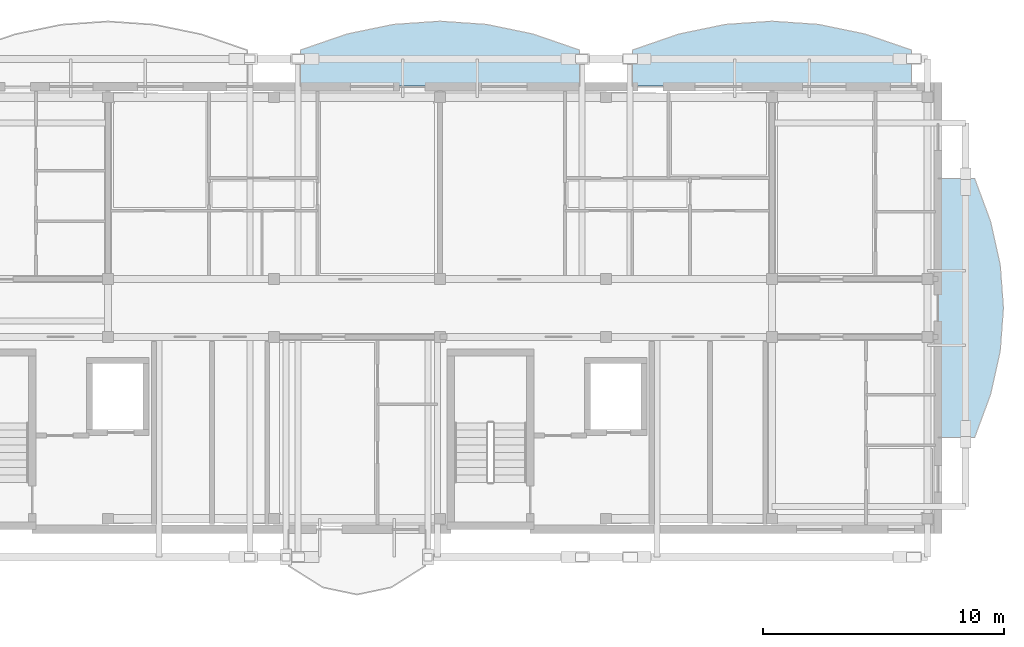
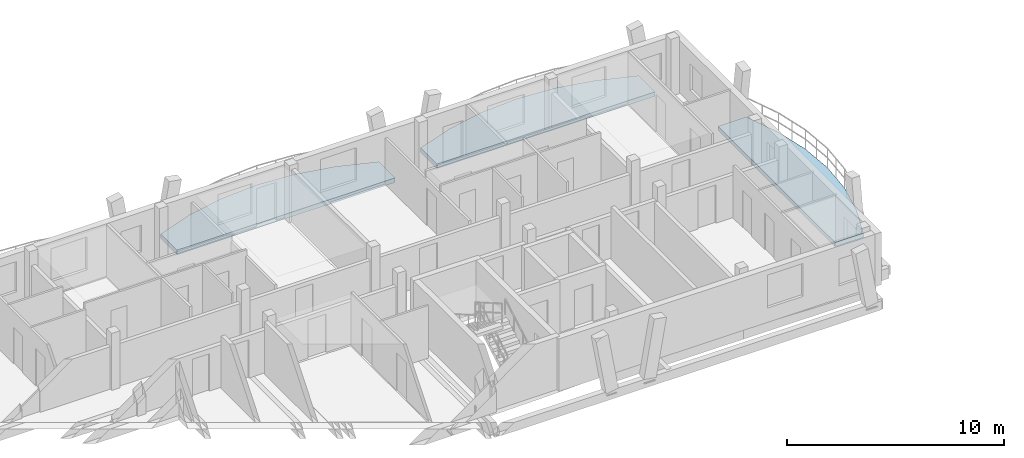
# One storey, part 9 of 44: 3 slabs.
"""IFC4 building model written with IfcOpenShell, lengths in metres."""

from ifc_helpers import new_model, si_unit, direction, frame, origin, place, context, subcontext, project, spatial, polyline, outline, extrude, material, layer, layer_set, type_object, element, save


model = new_model("IFC4")

# Units and contexts
model_context = context("Model", 3, precision=1e-05, world=origin(), true_north=direction((0.0, 1.0)))
body_context = subcontext(model_context, "Body", "Model", "MODEL_VIEW")
ifc_project = project(units=[si_unit("LENGTHUNIT", "METRE"), si_unit("AREAUNIT", "SQUARE_METRE"), si_unit("VOLUMEUNIT", "CUBIC_METRE"), si_unit("PLANEANGLEUNIT", "RADIAN"), si_unit("MASSUNIT", "GRAM", prefix="KILO")], contexts=[model_context])

# Site, building, storey
site_placement = place(None, origin())
site = spatial("IfcSite", under=ifc_project, at=site_placement, CompositionType="ELEMENT")
building_placement = place(site_placement, origin())
building = spatial("IfcBuilding", under=site, at=building_placement, Name="Zavelmont Quarter", CompositionType="ELEMENT")
storey_placement = place(building_placement, frame((0.0, 0.0, 20.800048828125)))
storey = spatial("IfcBuildingStorey", under=building, at=storey_placement, Name="L06", CompositionType="ELEMENT", Elevation=20.800048828125)

# Slabs
ifc_material = material(Name="White architectural precast concrete C40/50", Category="concrete")
ifc_layer_1 = layer(ifc_material, 0.235107421875)
ifc_layer_set_1 = layer_set([ifc_layer_1], Name="White architectural precast concrete C40/50")
slab_type_1 = type_object("IfcSlabType", Name="SL-BL180", PredefinedType="FLOOR", material=ifc_layer_set_1)
slab_1_placement = place(storey_placement, frame((0.0, 0.0, -0.235107421875)))
element("IfcSlab", 1, at=slab_1_placement, inside=storey, type_object=slab_type_1, Name="L06 Block C boulevard vase balcony SL-BL180", PredefinedType="FLOOR", context=body_context, shape_type="SweptSolid", body=[
    extrude(outline(polyline([(168.02001953125, 101.416015625), (169.523681640625, 101.416015625), (170.18896484375, 103.210693359375), (170.587890625, 105.00537109375), (170.720947265625, 106.800048828125), (170.587890625, 108.5947265625), (170.18896484375, 110.389404296875), (169.523681640625, 112.18408203125), (168.02001953125, 112.18408203125), (168.02001953125, 101.416015625)])), origin(), (0.0, 0.0, 1.0), 0.235107421875),
])
ifc_layer_2 = layer(ifc_material, 0.2451171875)
ifc_layer_set_2 = layer_set([ifc_layer_2], Name="White architectural precast concrete C40/50")
slab_type_2 = type_object("IfcSlabType", Name="SL-BL200", PredefinedType="FLOOR", material=ifc_layer_set_2)
slab_2_placement = place(storey_placement, frame((0.0, 0.0, -0.2451171875)))
element("IfcSlab", 2, at=slab_2_placement, inside=storey, type_object=slab_type_2, Name="L06 Block C street vase 4 balcony SL-BL200", PredefinedType="FLOOR", context=body_context, shape_type="SweptSolid", body=[
    extrude(outline(polyline([(166.89599609375, 116.02001953125), (166.89599609375, 117.523681640625), (164.964111328125, 118.18896484375), (163.031982421875, 118.587890625), (161.10009765625, 118.720947265625), (159.16796875, 118.587890625), (157.23583984375, 118.18896484375), (155.303955078125, 117.523681640625), (155.303955078125, 116.02001953125), (166.89599609375, 116.02001953125)])), origin(), (0.0, 0.0, 1.0), 0.2451171875),
])
ifc_layer_3 = layer(ifc_material, 0.2548828125)
ifc_layer_set_3 = layer_set([ifc_layer_3], Name="White architectural precast concrete C40/50")
slab_type_3 = type_object("IfcSlabType", Name="SL-BL220", PredefinedType="FLOOR", material=ifc_layer_set_3)
slab_3_placement = place(storey_placement, frame((0.0, 0.0, -0.255126953125)))
element("IfcSlab", 3, at=slab_3_placement, inside=storey, type_object=slab_type_3, Name="L06 Block C street vase 3 balcony SL-BL220", PredefinedType="FLOOR", context=body_context, shape_type="SweptSolid", body=[
    extrude(outline(polyline([(153.09619140625, 116.02001953125), (153.09619140625, 117.523681640625), (151.1640625, 118.18896484375), (149.23193359375, 118.587890625), (147.300048828125, 118.720947265625), (145.367919921875, 118.587890625), (143.435791015625, 118.18896484375), (141.50390625, 117.523681640625), (141.50390625, 116.02001953125), (153.09619140625, 116.02001953125)])), origin(), (0.0, 0.0, 1.0), 0.255126953125),
])

save(model, "model.ifc")
